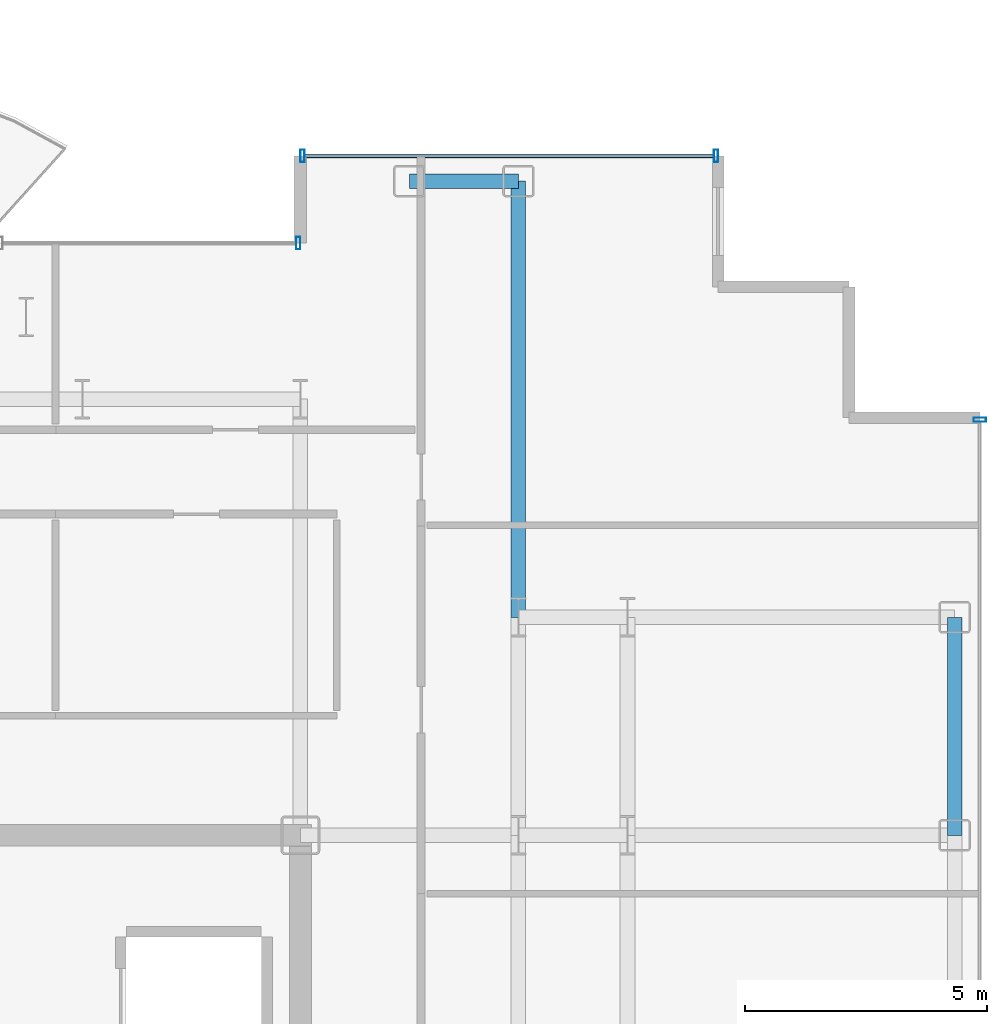
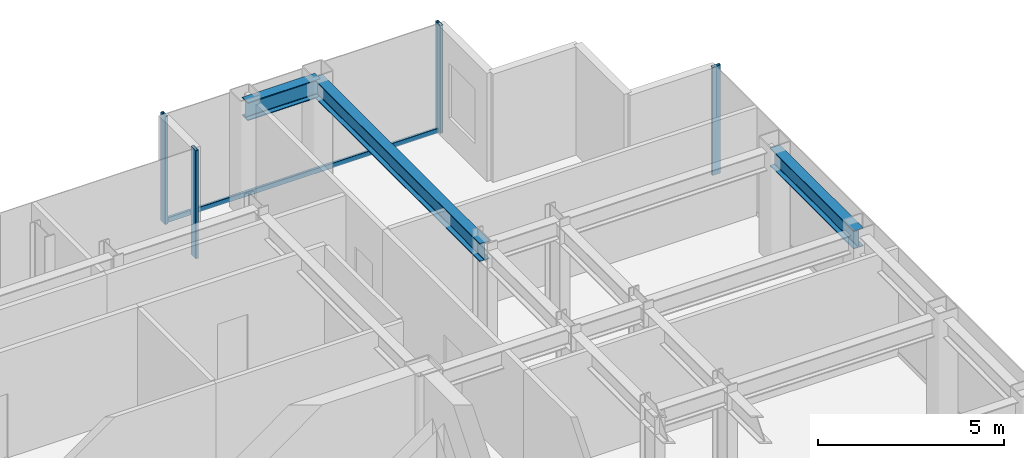
# One storey, part 12 of 21: 5 members, 3 beams, 3 elements without a shape of their own.
"""IFC4 building model written with IfcOpenShell, lengths in metres."""

from ifc_helpers import new_model, si_unit, direction, frame, origin, origin_2d, place, context, subcontext, project, spatial, hollow_rectangle, i_section, extrude, source, transform, mapped, material, layer, layer_set, material_profile, profile_set, type_object, element, aggregate, save


model = new_model("IFC4")

# Units and contexts
model_context = context("Model", 3, precision=1e-05, world=origin(), true_north=direction((0.0, 1.0)))
body_context = subcontext(model_context, "Body", "Model", "MODEL_VIEW")
ifc_project = project(units=[si_unit("LENGTHUNIT", "METRE"), si_unit("AREAUNIT", "SQUARE_METRE"), si_unit("VOLUMEUNIT", "CUBIC_METRE"), si_unit("PLANEANGLEUNIT", "RADIAN"), si_unit("MASSUNIT", "GRAM", prefix="KILO")], contexts=[model_context])

# Site, building, storey
site_placement = place(None, origin())
site = spatial("IfcSite", under=ifc_project, at=site_placement, CompositionType="ELEMENT")
building_placement = place(site_placement, origin())
building = spatial("IfcBuilding", under=site, at=building_placement, Name="Nefas-Gora Pilgrimage Tower", CompositionType="ELEMENT")
storey_placement = place(building_placement, frame((0.0, 0.0, 233.199951171875)))
storey = spatial("IfcBuildingStorey", under=building, at=storey_placement, Name="L58", CompositionType="ELEMENT", Elevation=233.199951171875)

# Beams
ifc_material_1 = material(Name="Steel S355", Category="steel")
ifc_material_profile_1 = material_profile(ifc_material_1, i_section(OverallWidth=0.300048828125, OverallDepth=0.60009765625, WebThickness=0.015380859375, FlangeThickness=0.030029296875, FilletRadius=0.027099609375, at=origin_2d()), Name="HEB 600")
ifc_profile_set_1 = profile_set([ifc_material_profile_1], Name="Steel S355")
beam_type_1 = type_object("IfcBeamType", Name="BM-SPN-HEB450", PredefinedType="SPANDREL", material=ifc_profile_set_1)
shared_shape_1 = source(origin(), body_context, "Body", "SweptSolid", [
    extrude(i_section(OverallWidth=0.300048828125, OverallDepth=0.60009765625, WebThickness=0.015380859375, FlangeThickness=0.030029296875, FilletRadius=0.027099609375, at=origin_2d()), origin(), (0.0, 0.0, 1.0), 4.5),
])
beam_1_placement = place(storey_placement, frame((24.75, 9.0, 3.25), z_axis=(0.0, 1.0, 0.0), x_axis=(-1.0, 0.0, 0.0)))
element("IfcBeam", 1, at=beam_1_placement, inside=storey, type_object=beam_type_1, Name="L58 SP-03 beam", PredefinedType="SPANDREL", context=body_context, shape_type="MappedRepresentation", body=[
    mapped(shared_shape_1, transform((0.0, 0.0, 0.0), x_axis=(1.0, 0.0, 0.0), y_axis=(0.0, 1.0, 0.0), z_axis=(0.0, 0.0, 1.0), scale=1.0)),
])
ifc_material_profile_2 = material_profile(ifc_material_1, i_section(OverallWidth=0.300048828125, OverallDepth=0.60009765625, WebThickness=0.015380859375, FlangeThickness=0.030029296875, FilletRadius=0.027099609375, at=origin_2d()), Name="HEB 600")
ifc_profile_set_2 = profile_set([ifc_material_profile_2], Name="Steel S355")
beam_type_2 = type_object("IfcBeamType", Name="BM-GIR-HEB600", PredefinedType="BEAM", material=ifc_profile_set_2)
shared_shape_2 = source(origin(), body_context, "Body", "SweptSolid", [
    extrude(i_section(OverallWidth=0.300048828125, OverallDepth=0.60009765625, WebThickness=0.015380859375, FlangeThickness=0.030029296875, FilletRadius=0.027099609375, at=origin_2d()), origin(), (0.0, 0.0, 1.0), 9.0),
])
beam_2_placement = place(storey_placement, frame((15.75, 13.5, 3.25), z_axis=(0.0, 1.0, 0.0), x_axis=(-1.0, 0.0, 0.0)))
element("IfcBeam", 2, at=beam_2_placement, inside=storey, type_object=beam_type_2, Name="L58 G-04 beam", PredefinedType="BEAM", context=body_context, shape_type="MappedRepresentation", body=[
    mapped(shared_shape_2, transform((0.0, 0.0, 0.0), x_axis=(1.0, 0.0, 0.0), y_axis=(0.0, 1.0, 0.0), z_axis=(0.0, 0.0, 1.0), scale=1.0)),
])
shared_shape_3 = source(origin(), body_context, "Body", "SweptSolid", [
    extrude(i_section(OverallWidth=0.300048828125, OverallDepth=0.60009765625, WebThickness=0.015380859375, FlangeThickness=0.030029296875, FilletRadius=0.027099609375, at=origin_2d()), origin(), (0.0, 0.0, 1.0), 2.25),
])
beam_3_placement = place(storey_placement, frame((13.5, 22.5, 3.25), z_axis=(1.0, 0.0, 0.0), x_axis=(0.0, 1.0, 0.0)))
element("IfcBeam", 3, at=beam_3_placement, inside=storey, type_object=beam_type_1, Name="L58 SP-03 beam", PredefinedType="SPANDREL", context=body_context, shape_type="MappedRepresentation", body=[
    mapped(shared_shape_3, transform((0.0, 0.0, 0.0), x_axis=(1.0, 0.0, 0.0), y_axis=(0.0, 1.0, 0.0), z_axis=(0.0, 0.0, 1.0), scale=1.0)),
])

# Curtain wall, member
ifc_material_2 = material(Name="Dark ceramic-fritted solar-control aluminium-glass curtain wall", Category="aluminium")
ifc_layer_1 = layer(ifc_material_2, 0.219970703125)
ifc_layer_set_1 = layer_set([ifc_layer_1], Name="Dark ceramic-fritted solar-control aluminium-glass curtain wall")
curtain_wall_type_1 = type_object("IfcCurtainWallType", Name="CW-SYS-5", PredefinedType="NOTDEFINED", material=ifc_layer_set_1)
curtain_wall_1_placement = place(storey_placement, origin())
curtain_wall_1 = element("IfcCurtainWall", 4, at=curtain_wall_1_placement, inside=storey, type_object=curtain_wall_type_1, Name="L58 Unitised Curtain Wall CW5", PredefinedType="NOTDEFINED")
ifc_material_3 = material(Name="Anodised architectural aluminium", Category="aluminium")
ifc_material_profile_3 = material_profile(ifc_material_3, hollow_rectangle(XDim=0.090087890625, YDim=0.260009765625, WallThickness=0.006103515625, InnerFilletRadius=0.006103515625, OuterFilletRadius=0.011962890625, at=origin_2d()), Name="ALU MULLION 90x260")
ifc_profile_set_3 = profile_set([ifc_material_profile_3], Name="Anodised architectural aluminium")
member_type_1 = type_object("IfcMemberType", Name="CWM-MUL-5", PredefinedType="MULLION", material=ifc_profile_set_3)
shared_shape_4 = source(origin(), body_context, "Body", "SweptSolid", [
    extrude(hollow_rectangle(XDim=0.090087890625, YDim=0.260009765625, WallThickness=0.006103515625, InnerFilletRadius=0.006103515625, OuterFilletRadius=0.011962890625, at=origin_2d()), origin(), (0.0, 0.0, 1.0), 3.550048828125),
])
member_1_placement = place(storey_placement, frame((11.205078125, 21.219970703125, 0.0), z_axis=(0.0, 0.0, 1.0), x_axis=(-1.0, 0.0, 0.0)))
member_1 = element("IfcMember", 5, at=member_1_placement, type_object=member_type_1, Name="CW5 Mullion 1", PredefinedType="MULLION", context=body_context, shape_type="MappedRepresentation", body=[
    mapped(shared_shape_4, transform((0.0, 0.0, 0.0), x_axis=(1.0, 0.0, 0.0), y_axis=(0.0, 1.0, 0.0), z_axis=(0.0, 0.0, 1.0), scale=1.0)),
])
aggregate(curtain_wall_1, [member_1])

ifc_layer_2 = layer(ifc_material_2, 0.219970703125)
ifc_layer_set_2 = layer_set([ifc_layer_2], Name="Dark ceramic-fritted solar-control aluminium-glass curtain wall")
curtain_wall_type_2 = type_object("IfcCurtainWallType", Name="CW-SYS-3", PredefinedType="NOTDEFINED", material=ifc_layer_set_2)
curtain_wall_2_placement = place(storey_placement, origin())
curtain_wall_2 = element("IfcCurtainWall", 6, at=curtain_wall_2_placement, inside=storey, type_object=curtain_wall_type_2, Name="L58 Unitised Curtain Wall CW3", PredefinedType="NOTDEFINED")
ifc_material_profile_4 = material_profile(ifc_material_3, hollow_rectangle(XDim=0.090087890625, YDim=0.260009765625, WallThickness=0.006103515625, InnerFilletRadius=0.006103515625, OuterFilletRadius=0.011962890625, at=origin_2d()), Name="ALU MULLION 90x260")
ifc_profile_set_4 = profile_set([ifc_material_profile_4], Name="Anodised architectural aluminium")
member_type_2 = type_object("IfcMemberType", Name="CWM-MUL-3", PredefinedType="MULLION", material=ifc_profile_set_4)
shared_shape_5 = source(origin(), body_context, "Body", "SweptSolid", [
    extrude(hollow_rectangle(XDim=0.090087890625, YDim=0.260009765625, WallThickness=0.006103515625, InnerFilletRadius=0.006103515625, OuterFilletRadius=0.011962890625, at=origin_2d()), origin(), (0.0, 0.0, 1.0), 3.550048828125),
])
member_2_placement = place(storey_placement, frame((25.27001953125, 17.574951171875, 0.0), z_axis=(0.0, 0.0, 1.0), x_axis=(0.0, 1.0, 0.0)))
member_2 = element("IfcMember", 7, at=member_2_placement, type_object=member_type_2, Name="CW3 Mullion 2", PredefinedType="MULLION", context=body_context, shape_type="MappedRepresentation", body=[
    mapped(shared_shape_5, transform((0.0, 0.0, 0.0), x_axis=(1.0, 0.0, 0.0), y_axis=(0.0, 1.0, 0.0), z_axis=(0.0, 0.0, 1.0), scale=1.0)),
])
aggregate(curtain_wall_2, [member_2])

# Curtain wall, members
curtain_wall_3_placement = place(storey_placement, origin())
curtain_wall_3 = element("IfcCurtainWall", 8, at=curtain_wall_3_placement, inside=storey, type_object=curtain_wall_type_2, Name="L58 Unitised Curtain Wall CW3", PredefinedType="NOTDEFINED")
member_3_placement = place(storey_placement, frame((19.824951171875, 23.02001953125, 0.0), z_axis=(0.0, 0.0, 1.0), x_axis=(-1.0, 0.0, 0.0)))
member_3 = element("IfcMember", 9, at=member_3_placement, type_object=member_type_2, Name="CW3 Mullion 1", PredefinedType="MULLION", context=body_context, shape_type="MappedRepresentation", body=[
    mapped(shared_shape_5, transform((0.0, 0.0, 0.0), x_axis=(1.0, 0.0, 0.0), y_axis=(0.0, 1.0, 0.0), z_axis=(0.0, 0.0, 1.0), scale=1.0)),
])
member_4_placement = place(storey_placement, frame((11.294921875, 23.02001953125, 0.0), z_axis=(0.0, 0.0, 1.0), x_axis=(-1.0, 0.0, 0.0)))
member_4 = element("IfcMember", 10, at=member_4_placement, type_object=member_type_2, Name="CW3 Mullion 2", PredefinedType="MULLION", context=body_context, shape_type="MappedRepresentation", body=[
    mapped(shared_shape_5, transform((0.0, 0.0, 0.0), x_axis=(1.0, 0.0, 0.0), y_axis=(0.0, 1.0, 0.0), z_axis=(0.0, 0.0, 1.0), scale=1.0)),
])
ifc_material_profile_5 = material_profile(ifc_material_3, hollow_rectangle(XDim=0.080078125, YDim=0.159912109375, WallThickness=0.00439453125, InnerFilletRadius=0.00439453125, OuterFilletRadius=0.009033203125, at=origin_2d()), Name="ALU TRANSOM 80x160")
ifc_profile_set_5 = profile_set([ifc_material_profile_5], Name="Anodised architectural aluminium")
member_type_3 = type_object("IfcMemberType", Name="CWM-TRN-3", PredefinedType="USERDEFINED", material=ifc_profile_set_5)
shared_shape_6 = source(origin(), body_context, "Body", "SweptSolid", [
    extrude(hollow_rectangle(XDim=0.080078125, YDim=0.159912109375, WallThickness=0.00439453125, InnerFilletRadius=0.00439453125, OuterFilletRadius=0.009033203125, at=origin_2d()), origin(), (0.0, 0.0, 1.0), 8.43994140625),
])
member_5_placement = place(storey_placement, frame((19.780029296875, 23.02001953125, 0.050048828125), z_axis=(-1.0, 0.0, 0.0), x_axis=(0.0, -1.0, 0.0)))
member_5 = element("IfcMember", 11, at=member_5_placement, type_object=member_type_3, Name="CW3 Spandrel Transom", ObjectType="TRANSOM", PredefinedType="USERDEFINED", context=body_context, shape_type="MappedRepresentation", body=[
    mapped(shared_shape_6, transform((0.0, 0.0, 0.0), x_axis=(1.0, 0.0, 0.0), y_axis=(0.0, 1.0, 0.0), z_axis=(0.0, 0.0, 1.0), scale=1.0)),
])
aggregate(curtain_wall_3, [member_3, member_4, member_5])

save(model, "model.ifc")
